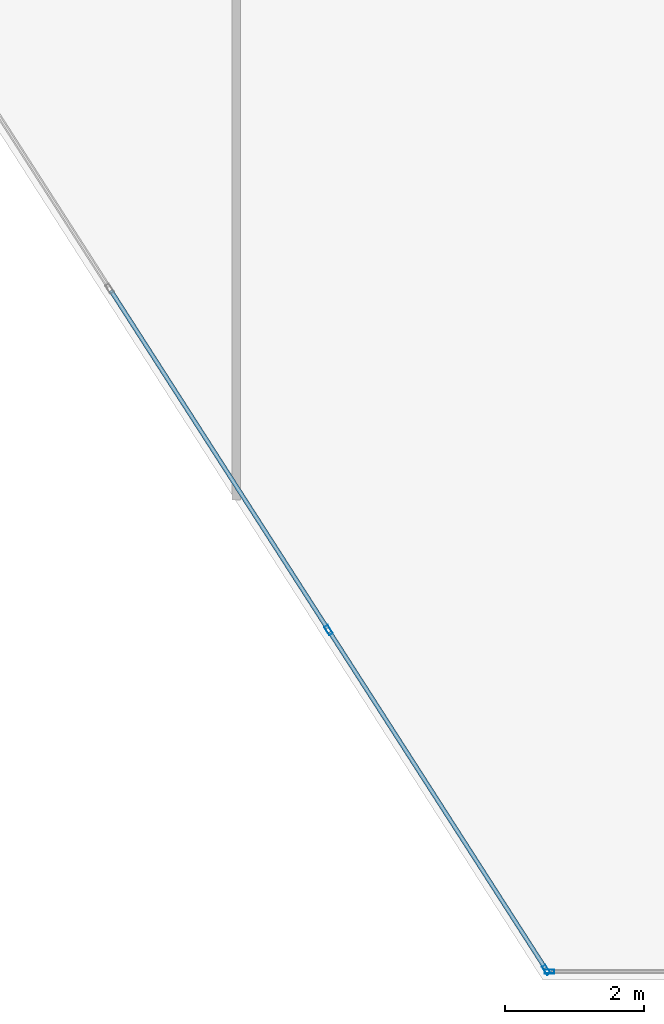
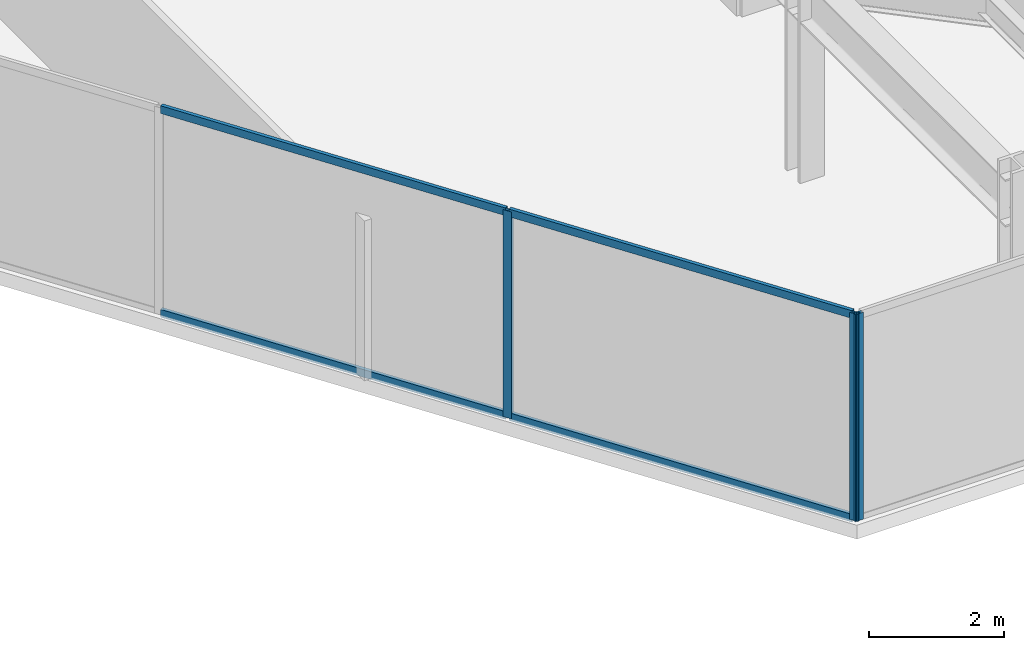
# One storey, part 15 of 26: 7 members, 2 elements without a shape of their own.
"""IFC4 building model written with IfcOpenShell, lengths in metres."""

import ifcopenshell
import ifcopenshell.guid

model = None  # the IFC model being written
_history = None  # IfcOwnerHistory: only IFC2X3 demands one
_inside = {}  # id of a spatial element -> (the spatial element, [elements in it])
_under = {}  # id of a project, library or spatial element -> (it, [spatial elements below it])
_declared = {}  # id of a project -> (the project, [libraries it declares])
_typed = {}  # id of a type object -> (the type object, [elements of that type])
_made_of = {}  # id of a material, layer set ... -> (it, [elements and type objects made of it])


def new_model(schema):
    """Start an empty IFC model of exactly this schema.

    Asked for "IFC4X3", IfcOpenShell would pick the latest addendum, in which some entities
    have other attributes; the version numbers below select the first issue.
    IFC2X3 requires an IfcOwnerHistory on every rooted entity: one is made here for all.
    """
    global model, _history
    if schema == "IFC4X3":
        model = ifcopenshell.file(schema_version=(4, 3, 0, 0))
    else:
        model = ifcopenshell.file(schema=schema)
    _inside.clear()
    _under.clear()
    _declared.clear()
    _typed.clear()
    _made_of.clear()
    _history = None
    if model.schema == "IFC2X3":
        org = make("IfcOrganization", Name="unknown")
        user = make(
            "IfcPersonAndOrganization",
            ThePerson=make("IfcPerson", FamilyName="unknown"),
            TheOrganization=org,
        )
        app = make(
            "IfcApplication",
            ApplicationDeveloper=org,
            Version="unknown",
            ApplicationFullName="unknown",
            ApplicationIdentifier="unknown",
        )
        _history = make(
            "IfcOwnerHistory",
            OwningUser=user,
            OwningApplication=app,
            ChangeAction="ADDED",
            CreationDate=0,
        )
    return model


def make(cls, **values):
    """One entity of the class cls with the attributes given. An attribute that is None is left unset."""
    return model.create_entity(
        cls, **{name: value for name, value in values.items() if value is not None}
    )


def rooted(cls, **values):
    """An entity with a GlobalId (a new one), such as an element, a storey or a relation."""
    return make(cls, GlobalId=ifcopenshell.guid.new(), OwnerHistory=_history, **values)


def si_unit(unit_type, name, prefix=None):
    """IfcSIUnit, for example si_unit("LENGTHUNIT", "METRE", prefix="MILLI")."""
    return make("IfcSIUnit", UnitType=unit_type, Prefix=prefix, Name=name)


def assignment(units):
    """IfcUnitAssignment: the units of a project."""
    return None if units is None else make("IfcUnitAssignment", Units=units)


def point(xyz):
    """IfcCartesianPoint."""
    return None if xyz is None else make("IfcCartesianPoint", Coordinates=xyz)


def direction(xyz):
    """IfcDirection."""
    return None if xyz is None else make("IfcDirection", DirectionRatios=xyz)


def frame(location, z_axis=None, x_axis=None):
    """IfcAxis2Placement3D, a coordinate frame: its origin and axes. An axis left out is left unset."""
    return make(
        "IfcAxis2Placement3D",
        Location=point(location),
        Axis=direction(z_axis),
        RefDirection=direction(x_axis),
    )


def frame_2d(location, x_axis=None):
    """IfcAxis2Placement2D, a coordinate frame in the plane: its origin and x axis."""
    return make(
        "IfcAxis2Placement2D", Location=point(location), RefDirection=direction(x_axis)
    )


def origin():
    """The frame at (0, 0, 0) with its axes left unset."""
    return frame((0.0, 0.0, 0.0))


def origin_2d():
    """The frame at (0, 0) in the plane with its x axis left unset."""
    return frame_2d((0.0, 0.0))


def place(relative_to, where):
    """IfcLocalPlacement: puts the frame where relative to a parent placement (None: the world)."""
    return make(
        "IfcLocalPlacement", PlacementRelTo=relative_to, RelativePlacement=where
    )


def context(
    kind, dimensions, precision=None, world=None, true_north=None, identifier=None
):
    """IfcGeometricRepresentationContext, for example the 3D "Model" context."""
    return make(
        "IfcGeometricRepresentationContext",
        ContextIdentifier=identifier,
        ContextType=kind,
        CoordinateSpaceDimension=dimensions,
        Precision=precision,
        WorldCoordinateSystem=world,
        TrueNorth=true_north,
    )


def subcontext(parent, identifier, kind, view, scale=None):
    """IfcGeometricRepresentationSubContext, for example "Body" below "Model"."""
    return make(
        "IfcGeometricRepresentationSubContext",
        ContextIdentifier=identifier,
        ContextType=kind,
        ParentContext=parent,
        TargetScale=scale,
        TargetView=view,
    )


def project(units=None, contexts=None):
    """IfcProject with its units and contexts."""
    return rooted(
        "IfcProject",
        Name="project",
        RepresentationContexts=contexts,
        UnitsInContext=assignment(units),
    )


def spatial(cls, under=None, at=None, **own):
    """A site, building, storey or space (cls), placed at a placement, below another one or the project."""
    s = rooted(cls, ObjectPlacement=at, **own)
    if under is not None:
        _under.setdefault(under.id(), (under, []))[1].append(s)
    return s


def profile(cls, at=None, kind="AREA", **sizes):
    """A parametric profile (cls). Its sizes go by their IFC names, for example OverallWidth=200.0."""
    return make(cls, ProfileType=kind, Position=at, **sizes)


def hollow_rectangle(**sizes):
    """IfcRectangleHollowProfileDef."""
    return profile("IfcRectangleHollowProfileDef", **sizes)


def extrude(swept, where, along, depth):
    """IfcExtrudedAreaSolid: the profile swept, set in the frame where, extruded along a direction by depth."""
    return make(
        "IfcExtrudedAreaSolid",
        SweptArea=swept,
        Position=where,
        ExtrudedDirection=direction(along),
        Depth=depth,
    )


def shape(context_of_items, identifier, shape_type, items):
    """IfcShapeRepresentation: the items that make up one representation, for example the "Body"."""
    return make(
        "IfcShapeRepresentation",
        ContextOfItems=context_of_items,
        RepresentationIdentifier=identifier,
        RepresentationType=shape_type,
        Items=items,
    )


def material(Name=None, Category=None):
    """IfcMaterial."""
    return make("IfcMaterial", Name=Name, Category=Category)


def layer(
    of_material, thickness, ventilated=None, Name=None, Category=None, Priority=None
):
    """IfcMaterialLayer: one layer of a wall or slab, of a material (None: an air gap)."""
    return make(
        "IfcMaterialLayer",
        Material=of_material,
        LayerThickness=thickness,
        IsVentilated=ventilated,
        Name=Name,
        Category=Category,
        Priority=Priority,
    )


def layer_set(layers, Name=None):
    """IfcMaterialLayerSet."""
    return make("IfcMaterialLayerSet", MaterialLayers=layers, LayerSetName=Name)


def material_profile(
    of_material, cross_section, Name=None, Category=None, Priority=None
):
    """IfcMaterialProfile: a cross section and its material."""
    return make(
        "IfcMaterialProfile",
        Name=Name,
        Material=of_material,
        Profile=cross_section,
        Priority=Priority,
        Category=Category,
    )


def profile_set(profiles, Name=None, composite=None):
    """IfcMaterialProfileSet."""
    return make(
        "IfcMaterialProfileSet",
        Name=Name,
        MaterialProfiles=profiles,
        CompositeProfile=composite,
    )


def made_of(thing, what):
    """Note that an element or type object is made of a material, layer set ...; save() writes the relation."""
    if what is not None:
        _made_of.setdefault(what.id(), (what, []))[1].append(thing)
    return thing


def type_object(cls, material=None, **own):
    """A type object (cls), such as IfcWallType, which elements share."""
    return made_of(rooted(cls, **own), material)


def element(
    cls,
    number,
    at=None,
    inside=None,
    cuts=None,
    type_object=None,
    material=None,
    context=None,
    identifier="Body",
    shape_type=None,
    held_by="IfcProductDefinitionShape",
    body=None,
    shapes=None,
    **own,
):
    """One element of the class cls, such as IfcWall. Its Tag is "e" and its number.

    at: its placement. inside: the storey or other place that contains it. cuts: it is an
    opening in that element (IfcRelVoidsElement). A single representation is given by context,
    identifier, shape_type and body (its items); several are given by shapes. held_by: the class
    of the entity that holds the representations. save() writes the other relations.
    """
    e = rooted(cls, Tag="e%d" % number, ObjectPlacement=at, **own)
    if body is not None:
        shapes = [shape(context, identifier, shape_type, body)]
    if shapes is not None:
        e.Representation = make(held_by, Representations=shapes)
    if inside is not None:
        _inside.setdefault(inside.id(), (inside, []))[1].append(e)
    if cuts is not None:
        rooted(
            "IfcRelVoidsElement", RelatingBuildingElement=cuts, RelatedOpeningElement=e
        )
    if type_object is not None:
        _typed.setdefault(type_object.id(), (type_object, []))[1].append(e)
    return made_of(e, material)


def aggregate(whole, parts):
    """IfcRelAggregates: a whole, such as a stair, and the parts it consists of."""
    return rooted("IfcRelAggregates", RelatingObject=whole, RelatedObjects=parts)


def save(model, path):
    """Write the relations noted so far, then the file.

    IfcRelAggregates (storeys below a building ...), IfcRelContainedInSpatialStructure (elements
    in a storey), IfcRelDefinesByType, IfcRelAssociatesMaterial and IfcRelDeclares: one each for
    every whole, place, type object, material and project.
    """
    for whole, parts in _under.values():
        aggregate(whole, parts)
    for where, things in _inside.values():
        rooted(
            "IfcRelContainedInSpatialStructure",
            RelatedElements=things,
            RelatingStructure=where,
        )
    for kind, things in _typed.values():
        rooted("IfcRelDefinesByType", RelatedObjects=things, RelatingType=kind)
    for what, things in _made_of.values():
        rooted("IfcRelAssociatesMaterial", RelatedObjects=things, RelatingMaterial=what)
    for by, libraries in _declared.values():
        rooted("IfcRelDeclares", RelatingContext=by, RelatedDefinitions=libraries)
    model.write(path)


model = new_model("IFC4")

# Units and contexts
model_context = context("Model", 3, precision=1e-05, world=origin(), true_north=direction((0.0, 1.0)))
body_context = subcontext(model_context, "Body", "Model", "MODEL_VIEW")
ifc_project = project(units=[si_unit("LENGTHUNIT", "METRE"), si_unit("AREAUNIT", "SQUARE_METRE"), si_unit("VOLUMEUNIT", "CUBIC_METRE"), si_unit("PLANEANGLEUNIT", "RADIAN"), si_unit("MASSUNIT", "GRAM", prefix="KILO")], contexts=[model_context])

# Site, building, storey
site_placement = place(None, origin())
site = spatial("IfcSite", under=ifc_project, at=site_placement, CompositionType="ELEMENT")
building_placement = place(site_placement, origin())
building = spatial("IfcBuilding", under=site, at=building_placement, Name="Kravanh Interchange Tower", CompositionType="ELEMENT")
storey_placement = place(building_placement, frame((0.0, 0.0, 128.0)))
storey = spatial("IfcBuildingStorey", under=building, at=storey_placement, Name="L30", CompositionType="ELEMENT", Elevation=128.0)

# Curtain wall, member
ifc_material_1 = material(Name="Anodised Bronze Aluminium", Category="aluminium")
ifc_layer = layer(ifc_material_1, 0.179931640625)
ifc_layer_set = layer_set([ifc_layer], Name="Unitised Curtain Wall System CW-Z2 Mid Office")
curtain_wall_type = type_object("IfcCurtainWallType", Name="Unitised Curtain Wall System CW-Z2 Mid Office", PredefinedType="NOTDEFINED", material=ifc_layer_set)
curtain_wall_1_placement = place(storey_placement, origin())
curtain_wall_1 = element("IfcCurtainWall", 1, at=curtain_wall_1_placement, inside=storey, type_object=curtain_wall_type, Name="L30 Unitised Curtain Wall CW-L30-03", PredefinedType="NOTDEFINED")
ifc_material_2 = material(Name="Anodised Bronze Aluminium", Category="aluminium")
ifc_material_profile_1 = material_profile(ifc_material_2, hollow_rectangle(XDim=0.06005859375, YDim=0.139892578125, WallThickness=0.00390625, at=origin_2d()), Name="ALU60X140X4")
ifc_profile_set_1 = profile_set([ifc_material_profile_1], Name="Anodised Bronze Aluminium")
member_type_1 = type_object("IfcMemberType", Name="Curtain Wall Mullion ALU60X140X4 Bronze", PredefinedType="MULLION", material=ifc_profile_set_1)
member_1_placement = place(storey_placement, frame((52.195556640625, 6.320068359375, 0.0), z_axis=(0.0, 0.0, 1.0), x_axis=(0.0, -1.0, 0.0)))
member_1 = element("IfcMember", 2, at=member_1_placement, type_object=member_type_1, Name="CW-Z2 mullion 3", PredefinedType="MULLION", context=body_context, shape_type="SweptSolid", body=[
    extrude(hollow_rectangle(XDim=0.06005859375, YDim=0.139892578125, WallThickness=0.00390625, at=origin_2d()), origin(), (0.0, 0.0, 1.0), 3.75),
])
aggregate(curtain_wall_1, [member_1])

# Curtain wall, members
curtain_wall_2_placement = place(storey_placement, origin())
curtain_wall_2 = element("IfcCurtainWall", 3, at=curtain_wall_2_placement, inside=storey, type_object=curtain_wall_type, Name="L30 Unitised Curtain Wall CW-L30-04", PredefinedType="NOTDEFINED")
member_2_placement = place(storey_placement, frame((52.1494140625, 6.34521484375, 0.0), z_axis=(0.0, 0.0, 1.0), x_axis=(-0.841879939476, -0.539664865919, 0.0)))
member_2 = element("IfcMember", 4, at=member_2_placement, type_object=member_type_1, Name="CW-Z2 mullion 1", PredefinedType="MULLION", context=body_context, shape_type="SweptSolid", body=[
    extrude(hollow_rectangle(XDim=0.06005859375, YDim=0.139892578125, WallThickness=0.00390625, at=origin_2d()), origin(), (0.0, 0.0, 1.0), 3.75),
])
member_3_placement = place(storey_placement, frame((49.024169921875, 11.220703125, 0.0), z_axis=(0.0, 0.0, 1.0), x_axis=(-0.841879939476, -0.539664865919, 0.0)))
member_3 = element("IfcMember", 5, at=member_3_placement, type_object=member_type_1, Name="CW-Z2 mullion 2", PredefinedType="MULLION", context=body_context, shape_type="SweptSolid", body=[
    extrude(hollow_rectangle(XDim=0.06005859375, YDim=0.139892578125, WallThickness=0.00390625, at=origin_2d()), origin(), (0.0, 0.0, 1.0), 3.75),
])
ifc_material_3 = material(Name="Anodised Bronze Aluminium", Category="aluminium")
ifc_material_profile_2 = material_profile(ifc_material_3, hollow_rectangle(XDim=0.06005859375, YDim=0.139892578125, WallThickness=0.00390625, at=origin_2d()), Name="ALU60X140X4")
ifc_profile_set_2 = profile_set([ifc_material_profile_2], Name="Anodised Bronze Aluminium")
member_type_2 = type_object("IfcMemberType", Name="Curtain Wall Transom ALU60X140X4 Bronze", PredefinedType="USERDEFINED", material=ifc_profile_set_2)
member_4_placement = place(storey_placement, frame((52.13330078125, 6.37060546875, 0.030029296875), z_axis=(-0.539697855812, 0.841858791266, 0.0), x_axis=(-0.841858791266, -0.539697855812, 0.0)))
member_4 = element("IfcMember", 6, at=member_4_placement, type_object=member_type_2, Name="CW-Z2 transom 1.1", ObjectType="TRANSOM", PredefinedType="USERDEFINED", context=body_context, shape_type="SweptSolid", body=[
    extrude(hollow_rectangle(XDim=0.06005859375, YDim=0.139892578125, WallThickness=0.00390625, at=origin_2d()), origin(), (0.0, 0.0, 1.0), 5.73095703125),
])
member_5_placement = place(storey_placement, frame((52.13330078125, 6.37060546875, 3.719970703125), z_axis=(-0.539697855812, 0.841858791266, 0.0), x_axis=(-0.841858791266, -0.539697855812, 0.0)))
member_5 = element("IfcMember", 7, at=member_5_placement, type_object=member_type_2, Name="CW-Z2 transom 1.2", ObjectType="TRANSOM", PredefinedType="USERDEFINED", context=body_context, shape_type="SweptSolid", body=[
    extrude(hollow_rectangle(XDim=0.06005859375, YDim=0.139892578125, WallThickness=0.00390625, at=origin_2d()), origin(), (0.0, 0.0, 1.0), 5.73095703125),
])
member_6_placement = place(storey_placement, frame((49.008056640625, 11.245849609375, 0.030029296875), z_axis=(-0.539677666788, 0.84187173368, 0.0), x_axis=(-0.84187173368, -0.539677666788, 0.0)))
member_6 = element("IfcMember", 8, at=member_6_placement, type_object=member_type_2, Name="CW-Z2 transom 2.1", ObjectType="TRANSOM", PredefinedType="USERDEFINED", context=body_context, shape_type="SweptSolid", body=[
    extrude(hollow_rectangle(XDim=0.06005859375, YDim=0.139892578125, WallThickness=0.00390625, at=origin_2d()), origin(), (0.0, 0.0, 1.0), 5.760986328125),
])
member_7_placement = place(storey_placement, frame((49.008056640625, 11.245849609375, 3.719970703125), z_axis=(-0.539677666788, 0.84187173368, 0.0), x_axis=(-0.84187173368, -0.539677666788, 0.0)))
member_7 = element("IfcMember", 9, at=member_7_placement, type_object=member_type_2, Name="CW-Z2 transom 2.2", ObjectType="TRANSOM", PredefinedType="USERDEFINED", context=body_context, shape_type="SweptSolid", body=[
    extrude(hollow_rectangle(XDim=0.06005859375, YDim=0.139892578125, WallThickness=0.00390625, at=origin_2d()), origin(), (0.0, 0.0, 1.0), 5.760986328125),
])
aggregate(curtain_wall_2, [member_2, member_3, member_4, member_5, member_6, member_7])

save(model, "model.ifc")
